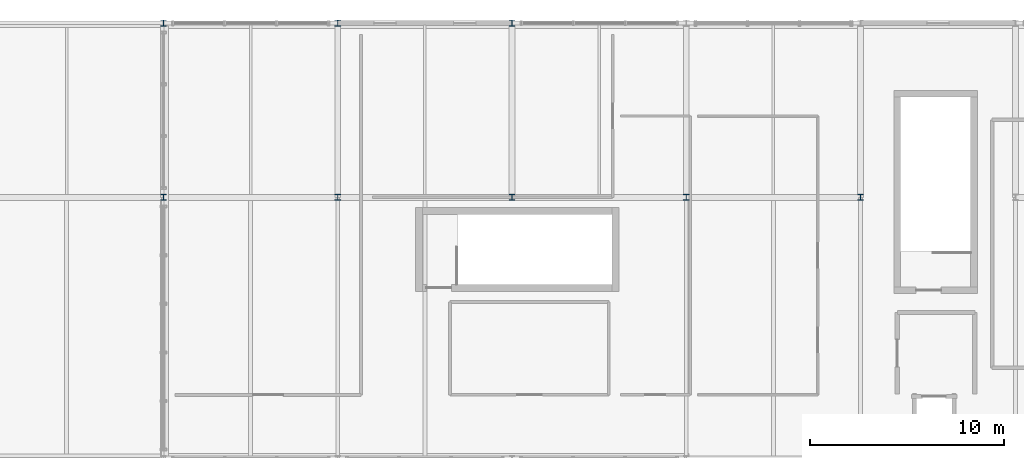
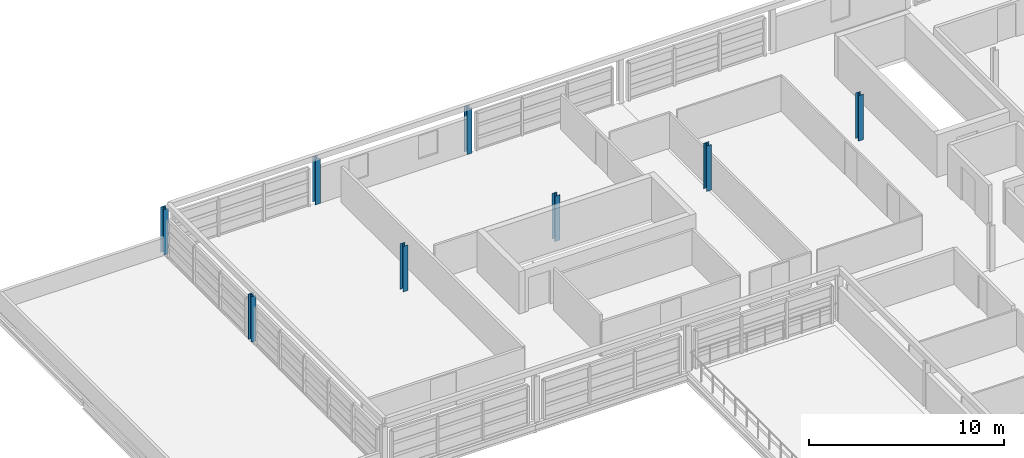
# One storey, part 3 of 27: 8 columns.
"""IFC4 building model written with IfcOpenShell, lengths in metres."""

import ifcopenshell
import ifcopenshell.guid

model = None  # the IFC model being written
_history = None  # IfcOwnerHistory: only IFC2X3 demands one
_inside = {}  # id of a spatial element -> (the spatial element, [elements in it])
_under = {}  # id of a project, library or spatial element -> (it, [spatial elements below it])
_declared = {}  # id of a project -> (the project, [libraries it declares])
_typed = {}  # id of a type object -> (the type object, [elements of that type])
_made_of = {}  # id of a material, layer set ... -> (it, [elements and type objects made of it])


def new_model(schema):
    """Start an empty IFC model of exactly this schema.

    Asked for "IFC4X3", IfcOpenShell would pick the latest addendum, in which some entities
    have other attributes; the version numbers below select the first issue.
    IFC2X3 requires an IfcOwnerHistory on every rooted entity: one is made here for all.
    """
    global model, _history
    if schema == "IFC4X3":
        model = ifcopenshell.file(schema_version=(4, 3, 0, 0))
    else:
        model = ifcopenshell.file(schema=schema)
    _inside.clear()
    _under.clear()
    _declared.clear()
    _typed.clear()
    _made_of.clear()
    _history = None
    if model.schema == "IFC2X3":
        org = make("IfcOrganization", Name="unknown")
        user = make(
            "IfcPersonAndOrganization",
            ThePerson=make("IfcPerson", FamilyName="unknown"),
            TheOrganization=org,
        )
        app = make(
            "IfcApplication",
            ApplicationDeveloper=org,
            Version="unknown",
            ApplicationFullName="unknown",
            ApplicationIdentifier="unknown",
        )
        _history = make(
            "IfcOwnerHistory",
            OwningUser=user,
            OwningApplication=app,
            ChangeAction="ADDED",
            CreationDate=0,
        )
    return model


def make(cls, **values):
    """One entity of the class cls with the attributes given. An attribute that is None is left unset."""
    return model.create_entity(
        cls, **{name: value for name, value in values.items() if value is not None}
    )


def rooted(cls, **values):
    """An entity with a GlobalId (a new one), such as an element, a storey or a relation."""
    return make(cls, GlobalId=ifcopenshell.guid.new(), OwnerHistory=_history, **values)


def si_unit(unit_type, name, prefix=None):
    """IfcSIUnit, for example si_unit("LENGTHUNIT", "METRE", prefix="MILLI")."""
    return make("IfcSIUnit", UnitType=unit_type, Prefix=prefix, Name=name)


def assignment(units):
    """IfcUnitAssignment: the units of a project."""
    return None if units is None else make("IfcUnitAssignment", Units=units)


def point(xyz):
    """IfcCartesianPoint."""
    return None if xyz is None else make("IfcCartesianPoint", Coordinates=xyz)


def direction(xyz):
    """IfcDirection."""
    return None if xyz is None else make("IfcDirection", DirectionRatios=xyz)


def frame(location, z_axis=None, x_axis=None):
    """IfcAxis2Placement3D, a coordinate frame: its origin and axes. An axis left out is left unset."""
    return make(
        "IfcAxis2Placement3D",
        Location=point(location),
        Axis=direction(z_axis),
        RefDirection=direction(x_axis),
    )


def frame_2d(location, x_axis=None):
    """IfcAxis2Placement2D, a coordinate frame in the plane: its origin and x axis."""
    return make(
        "IfcAxis2Placement2D", Location=point(location), RefDirection=direction(x_axis)
    )


def origin():
    """The frame at (0, 0, 0) with its axes left unset."""
    return frame((0.0, 0.0, 0.0))


def origin_2d():
    """The frame at (0, 0) in the plane with its x axis left unset."""
    return frame_2d((0.0, 0.0))


def place(relative_to, where):
    """IfcLocalPlacement: puts the frame where relative to a parent placement (None: the world)."""
    return make(
        "IfcLocalPlacement", PlacementRelTo=relative_to, RelativePlacement=where
    )


def context(
    kind, dimensions, precision=None, world=None, true_north=None, identifier=None
):
    """IfcGeometricRepresentationContext, for example the 3D "Model" context."""
    return make(
        "IfcGeometricRepresentationContext",
        ContextIdentifier=identifier,
        ContextType=kind,
        CoordinateSpaceDimension=dimensions,
        Precision=precision,
        WorldCoordinateSystem=world,
        TrueNorth=true_north,
    )


def subcontext(parent, identifier, kind, view, scale=None):
    """IfcGeometricRepresentationSubContext, for example "Body" below "Model"."""
    return make(
        "IfcGeometricRepresentationSubContext",
        ContextIdentifier=identifier,
        ContextType=kind,
        ParentContext=parent,
        TargetScale=scale,
        TargetView=view,
    )


def project(units=None, contexts=None):
    """IfcProject with its units and contexts."""
    return rooted(
        "IfcProject",
        Name="project",
        RepresentationContexts=contexts,
        UnitsInContext=assignment(units),
    )


def spatial(cls, under=None, at=None, **own):
    """A site, building, storey or space (cls), placed at a placement, below another one or the project."""
    s = rooted(cls, ObjectPlacement=at, **own)
    if under is not None:
        _under.setdefault(under.id(), (under, []))[1].append(s)
    return s


def profile(cls, at=None, kind="AREA", **sizes):
    """A parametric profile (cls). Its sizes go by their IFC names, for example OverallWidth=200.0."""
    return make(cls, ProfileType=kind, Position=at, **sizes)


def i_section(**sizes):
    """IfcIShapeProfileDef."""
    return profile("IfcIShapeProfileDef", **sizes)


def extrude(swept, where, along, depth):
    """IfcExtrudedAreaSolid: the profile swept, set in the frame where, extruded along a direction by depth."""
    return make(
        "IfcExtrudedAreaSolid",
        SweptArea=swept,
        Position=where,
        ExtrudedDirection=direction(along),
        Depth=depth,
    )


def shape(context_of_items, identifier, shape_type, items):
    """IfcShapeRepresentation: the items that make up one representation, for example the "Body"."""
    return make(
        "IfcShapeRepresentation",
        ContextOfItems=context_of_items,
        RepresentationIdentifier=identifier,
        RepresentationType=shape_type,
        Items=items,
    )


def material(Name=None, Category=None):
    """IfcMaterial."""
    return make("IfcMaterial", Name=Name, Category=Category)


def material_profile(
    of_material, cross_section, Name=None, Category=None, Priority=None
):
    """IfcMaterialProfile: a cross section and its material."""
    return make(
        "IfcMaterialProfile",
        Name=Name,
        Material=of_material,
        Profile=cross_section,
        Priority=Priority,
        Category=Category,
    )


def profile_set(profiles, Name=None, composite=None):
    """IfcMaterialProfileSet."""
    return make(
        "IfcMaterialProfileSet",
        Name=Name,
        MaterialProfiles=profiles,
        CompositeProfile=composite,
    )


def made_of(thing, what):
    """Note that an element or type object is made of a material, layer set ...; save() writes the relation."""
    if what is not None:
        _made_of.setdefault(what.id(), (what, []))[1].append(thing)
    return thing


def type_object(cls, material=None, **own):
    """A type object (cls), such as IfcWallType, which elements share."""
    return made_of(rooted(cls, **own), material)


def element(
    cls,
    number,
    at=None,
    inside=None,
    cuts=None,
    type_object=None,
    material=None,
    context=None,
    identifier="Body",
    shape_type=None,
    held_by="IfcProductDefinitionShape",
    body=None,
    shapes=None,
    **own,
):
    """One element of the class cls, such as IfcWall. Its Tag is "e" and its number.

    at: its placement. inside: the storey or other place that contains it. cuts: it is an
    opening in that element (IfcRelVoidsElement). A single representation is given by context,
    identifier, shape_type and body (its items); several are given by shapes. held_by: the class
    of the entity that holds the representations. save() writes the other relations.
    """
    e = rooted(cls, Tag="e%d" % number, ObjectPlacement=at, **own)
    if body is not None:
        shapes = [shape(context, identifier, shape_type, body)]
    if shapes is not None:
        e.Representation = make(held_by, Representations=shapes)
    if inside is not None:
        _inside.setdefault(inside.id(), (inside, []))[1].append(e)
    if cuts is not None:
        rooted(
            "IfcRelVoidsElement", RelatingBuildingElement=cuts, RelatedOpeningElement=e
        )
    if type_object is not None:
        _typed.setdefault(type_object.id(), (type_object, []))[1].append(e)
    return made_of(e, material)


def aggregate(whole, parts):
    """IfcRelAggregates: a whole, such as a stair, and the parts it consists of."""
    return rooted("IfcRelAggregates", RelatingObject=whole, RelatedObjects=parts)


def save(model, path):
    """Write the relations noted so far, then the file.

    IfcRelAggregates (storeys below a building ...), IfcRelContainedInSpatialStructure (elements
    in a storey), IfcRelDefinesByType, IfcRelAssociatesMaterial and IfcRelDeclares: one each for
    every whole, place, type object, material and project.
    """
    for whole, parts in _under.values():
        aggregate(whole, parts)
    for where, things in _inside.values():
        rooted(
            "IfcRelContainedInSpatialStructure",
            RelatedElements=things,
            RelatingStructure=where,
        )
    for kind, things in _typed.values():
        rooted("IfcRelDefinesByType", RelatedObjects=things, RelatingType=kind)
    for what, things in _made_of.values():
        rooted("IfcRelAssociatesMaterial", RelatedObjects=things, RelatingMaterial=what)
    for by, libraries in _declared.values():
        rooted("IfcRelDeclares", RelatingContext=by, RelatedDefinitions=libraries)
    model.write(path)


model = new_model("IFC4")

# Units and contexts
model_context = context("Model", 3, precision=1e-05, world=origin(), true_north=direction((0.0, 1.0)))
body_context = subcontext(model_context, "Body", "Model", "MODEL_VIEW")
ifc_project = project(units=[si_unit("LENGTHUNIT", "METRE"), si_unit("AREAUNIT", "SQUARE_METRE"), si_unit("VOLUMEUNIT", "CUBIC_METRE"), si_unit("PLANEANGLEUNIT", "RADIAN"), si_unit("MASSUNIT", "GRAM", prefix="KILO")], contexts=[model_context])

# Site, building, storey
site_placement = place(None, origin())
site = spatial("IfcSite", under=ifc_project, at=site_placement, CompositionType="ELEMENT")
building_placement = place(site_placement, origin())
building = spatial("IfcBuilding", under=site, at=building_placement, Name="Chuanluo Vaults Station", CompositionType="ELEMENT")
storey_placement = place(building_placement, frame((0.0, 0.0, 20.800048828125)))
storey = spatial("IfcBuildingStorey", under=building, at=storey_placement, Name="L05", CompositionType="ELEMENT", Elevation=20.800048828125)

# Columns
ifc_material = material(Name="Steel Q355C", Category="steel")
ifc_material_profile = material_profile(ifc_material, i_section(OverallWidth=0.300048828125, OverallDepth=0.300048828125, WebThickness=0.010009765625, FlangeThickness=0.014892578125, FilletRadius=0.01806640625, at=origin_2d()))
ifc_profile_set = profile_set([ifc_material_profile], Name="Steel Q355C")
column_type = type_object("IfcColumnType", Name="COL-STL-HW300", PredefinedType="COLUMN", material=ifc_profile_set)
for number, where, z_axis, x_axis, name in (
    (1, (136.0, 117.0, 0.0), (0.0, 0.0, 1.0), (1.0, 0.0, 0.0), "Column L05-095"),
    (2, (136.0, 126.0, 0.0), (0.0, 0.0, 1.0), (1.0, 0.0, 0.0), "Column L05-096"),
    (3, (145.0, 117.0, 0.0), (0.0, 0.0, 1.0), (1.0, 0.0, 0.0), "Column L05-108"),
    (4, (145.0, 126.0, 0.0), (0.0, 0.0, 1.0), (1.0, 0.0, 0.0), "Column L05-109"),
    (5, (154.0, 117.0, 0.0), (0.0, 0.0, 1.0), (1.0, 0.0, 0.0), "Column L05-121"),
    (6, (154.0, 126.0, 0.0), (0.0, 0.0, 1.0), (1.0, 0.0, 0.0), "Column L05-122"),
    (7, (163.0, 117.0, 0.0), (0.0, 0.0, 1.0), (1.0, 0.0, 0.0), "Column L05-134"),
    (8, (172.0, 117.0, 0.0), (0.0, 0.0, 1.0), (1.0, 0.0, 0.0), "Column L05-147"),
):
    element("IfcColumn", number, at=place(storey_placement, frame(where, z_axis=z_axis, x_axis=x_axis)), inside=storey, type_object=column_type, Name=name, PredefinedType="COLUMN", context=body_context, shape_type="SweptSolid", body=[
        extrude(i_section(OverallWidth=0.300048828125, OverallDepth=0.300048828125, WebThickness=0.010009765625, FlangeThickness=0.014892578125, FilletRadius=0.01806640625, at=origin_2d()), origin(), (0.0, 0.0, 1.0), 2.849853515625),
    ])

save(model, "model.ifc")
